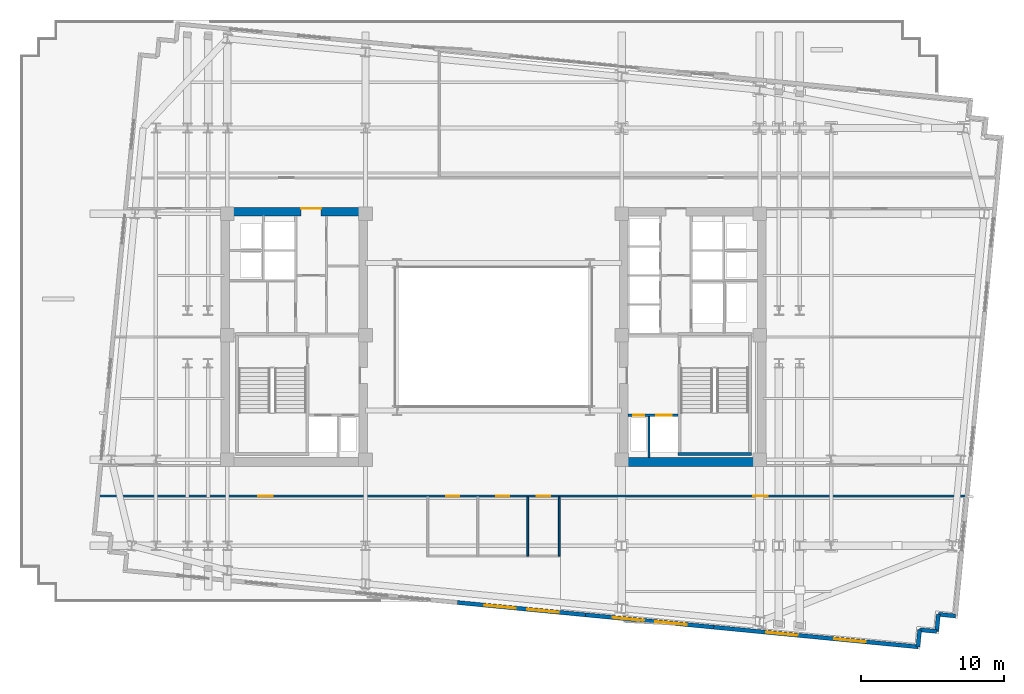
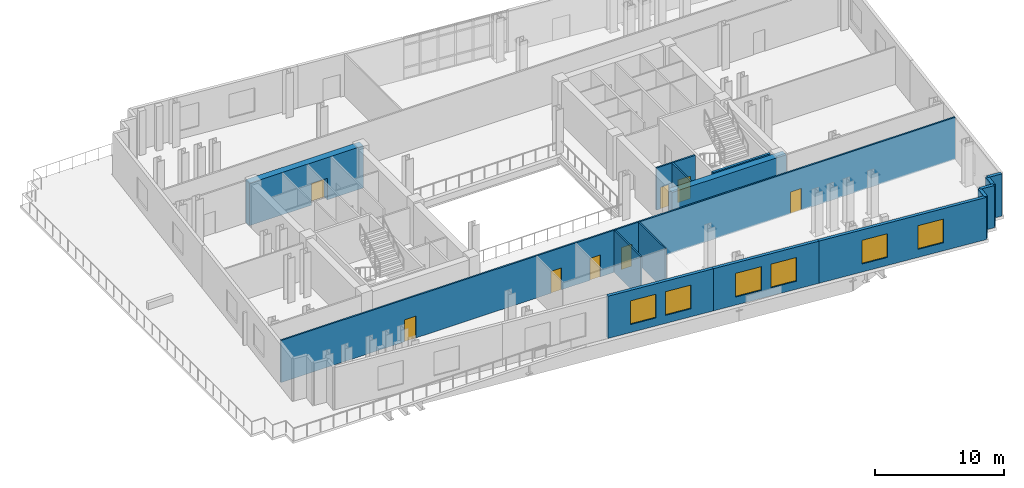
# One storey, part 6 of 11: 15 walls, 8 doors, 6 windows, 14 openings.
"""IFC4 building model written with IfcOpenShell, lengths in metres."""

from ifc_helpers import new_model, si_unit, direction, frame, frame_2d, origin, place, context, subcontext, project, spatial, rectangle, extrude, material, layer, layer_set, type_object, element, fill, save


model = new_model("IFC4")

# Units and contexts
model_context = context("Model", 3, precision=1e-05, world=origin(), true_north=direction((0.0, 1.0)))
body_context = subcontext(model_context, "Body", "Model", "MODEL_VIEW")
ifc_project = project(units=[si_unit("LENGTHUNIT", "METRE"), si_unit("AREAUNIT", "SQUARE_METRE"), si_unit("VOLUMEUNIT", "CUBIC_METRE"), si_unit("PLANEANGLEUNIT", "RADIAN"), si_unit("MASSUNIT", "GRAM", prefix="KILO")], contexts=[model_context])

# Site, building, storey
site_placement = place(None, origin())
site = spatial("IfcSite", under=ifc_project, at=site_placement, CompositionType="ELEMENT")
building_placement = place(site_placement, origin())
building = spatial("IfcBuilding", under=site, at=building_placement, Name="Velakula Bourse", CompositionType="ELEMENT")
storey_placement = place(building_placement, frame((0.0, 0.0, 156.199951171875)))
storey = spatial("IfcBuildingStorey", under=building, at=storey_placement, Name="L42", CompositionType="ELEMENT", Elevation=156.199951171875)

# Wall
ifc_material_1 = material(Name="Concrete M50 (fck 50 MPa)", Category="concrete")
ifc_layer_1 = layer(ifc_material_1, 0.2099609375, Name="Concrete M50 (fck 50 MPa)", Category="concrete")
ifc_layer_set_1 = layer_set([ifc_layer_1], Name="Concrete M50 (fck 50 MPa)")
wall_type_1 = type_object("IfcWallType", Name="WL-CORE-210", PredefinedType="SHEAR", material=ifc_layer_set_1)
wall_1_placement = place(storey_placement, frame((12.889892578125, -8.205078125, 0.0), z_axis=(0.0, 0.0, 1.0), x_axis=(1.0, 0.0, 0.0)))
element("IfcWall", 1, at=wall_1_placement, inside=storey, type_object=wall_type_1, Name="L42 Core E Stairwell Shear Wall S", PredefinedType="SHEAR", context=body_context, shape_type="SweptSolid", body=[
    extrude(rectangle(XDim=5.14013671875, YDim=0.2099609375, at=frame_2d((2.570068359375, 0.0))), origin(), (0.0, 0.0, 1.0), 4.02001953125),
])

# Wall, opening, door
ifc_material_2 = material(Name="Concrete M70 (fck 70 MPa)", Category="concrete")
ifc_layer_2 = layer(ifc_material_2, 0.60009765625, Name="Concrete M70 (fck 70 MPa)", Category="concrete")
ifc_layer_set_2 = layer_set([ifc_layer_2], Name="Concrete M70 (fck 70 MPa)")
wall_type_2 = type_object("IfcWallType", Name="WL-CORE-600", PredefinedType="SHEAR", material=ifc_layer_set_2)
wall_2_placement = place(storey_placement, frame((-19.050048828125, 8.75, 0.0), z_axis=(0.0, 0.0, 1.0), x_axis=(1.0, 0.0, 0.0)))
wall_2 = element("IfcWall", 2, at=wall_2_placement, inside=storey, type_object=wall_type_2, Name="L42 Core W Shear Wall N", PredefinedType="SHEAR", context=body_context, shape_type="SweptSolid", body=[
    extrude(rectangle(XDim=10.25, YDim=0.60009765625, at=frame_2d((5.125, 0.0))), origin(), (0.0, 0.0, 1.0), 4.02001953125),
])
opening_1_placement = place(wall_2_placement, frame((5.60009765625, 0.0, 0.0)))
opening_1 = element("IfcOpeningElement", 3, at=opening_1_placement, cuts=wall_2, Name="Opening D-LLW", PredefinedType="OPENING", context=body_context, shape_type="SweptSolid", body=[
    extrude(rectangle(XDim=1.39990234375, YDim=2.050048828125, at=frame_2d((0.699951171875, 1.02490234375))), frame((0.0, 0.31005859375, 0.0), z_axis=(0.0, -1.0, 0.0), x_axis=(1.0, 0.0, 0.0)), (0.0, 0.0, 1.0), 0.6201171875),
])
ifc_material_3 = material(Name="Fire-rated hardwood flush architectural door", Category="wood")
door_type_1 = type_object("IfcDoorType", Name="DR-DBL-FD60-1400", OperationType="DOUBLE_DOOR_SINGLE_SWING", PredefinedType="DOOR", material=ifc_material_3)
door_1_placement = place(opening_1_placement, origin())
door_1 = element("IfcDoor", 4, at=door_1_placement, inside=storey, type_object=door_type_1, Name="L42 Core W Lift Lobby Corridor Double Door", OperationType="DOUBLE_DOOR_SINGLE_SWING", OverallHeight=2.050048828125, OverallWidth=1.39990234375, PredefinedType="DOOR", context=body_context, shape_type="SweptSolid", body=[
    extrude(rectangle(XDim=1.39990234375, YDim=2.050048828125, at=frame_2d((0.699951171875, 1.02490234375))), frame((0.0, 0.2451171875, 0.0), z_axis=(0.0, -1.0, 0.0), x_axis=(1.0, 0.0, 0.0)), (0.0, 0.0, 1.0), 0.050048828125),
])
fill(opening_1, door_1)

# Wall
wall_3_placement = place(storey_placement, frame((8.800048828125, -8.75, 0.0), z_axis=(0.0, 0.0, 1.0), x_axis=(1.0, 0.0, 0.0)))
element("IfcWall", 5, at=wall_3_placement, inside=storey, type_object=wall_type_2, Name="L42 Core E Shear Wall S", PredefinedType="SHEAR", context=body_context, shape_type="SweptSolid", body=[
    extrude(rectangle(XDim=10.25, YDim=0.60009765625, at=frame_2d((5.125, 0.0))), origin(), (0.0, 0.0, 1.0), 4.02001953125),
])

# Wall, openings, windows
ifc_material_4 = material(Name="Red kilned clay facing brick masonry", Category="masonry")
ifc_layer_3 = layer(ifc_material_4, 0.280029296875, Name="Red kilned clay facing brick masonry", Category="masonry")
ifc_layer_set_3 = layer_set([ifc_layer_3], Name="Red kilned clay facing brick masonry")
wall_type_3 = type_object("IfcWallType", Name="WL-EXT-BRK-280", PredefinedType="STANDARD", material=ifc_layer_set_3)
wall_4_placement = place(storey_placement, frame((6.43994140625, -19.432861328125, 0.0), z_axis=(0.0, 0.0, 1.0), x_axis=(-0.995396794462, 0.09583956164, 0.0)))
wall_4 = element("IfcWall", 6, at=wall_4_placement, inside=storey, type_object=wall_type_3, Name="L42 S Brick Spandrel Wall B3", PredefinedType="STANDARD", context=body_context, shape_type="SweptSolid", body=[
    extrude(rectangle(XDim=9.0, YDim=0.280029296875, at=frame_2d((4.5, 0.0))), origin(), (0.0, 0.0, 1.0), 4.0),
])
opening_2_placement = place(wall_4_placement, frame((1.89990234375, 0.0, 0.760009765625)))
opening_2 = element("IfcOpeningElement", 7, at=opening_2_placement, cuts=wall_4, Name="Opening W-08", PredefinedType="OPENING", context=body_context, shape_type="SweptSolid", body=[
    extrude(rectangle(XDim=2.199951171875, YDim=2.25, at=frame_2d((1.10009765625, 1.125))), frame((0.0, 0.14990234375, 0.0), z_axis=(0.0, -1.0, 0.0), x_axis=(1.0, 0.0, 0.0)), (0.0, 0.0, 1.0), 0.300048828125),
])
opening_3_placement = place(wall_4_placement, frame((4.89990234375, 0.0, 0.760009765625)))
opening_3 = element("IfcOpeningElement", 8, at=opening_3_placement, cuts=wall_4, Name="Opening W-08", PredefinedType="OPENING", context=body_context, shape_type="SweptSolid", body=[
    extrude(rectangle(XDim=2.199951171875, YDim=2.25, at=frame_2d((1.10009765625, 1.125))), frame((0.0, 0.14990234375, 0.0), z_axis=(0.0, -1.0, 0.0), x_axis=(1.0, 0.0, 0.0)), (0.0, 0.0, 1.0), 0.300048828125),
])
ifc_material_5 = material(Name="Double-glazed solar-control Low-E glass", Category="glass")
window_type = type_object("IfcWindowType", Name="WIN-SL-2200x2500", PartitioningType="DOUBLE_PANEL_VERTICAL", PredefinedType="WINDOW", material=ifc_material_5)
window_1_placement = place(opening_2_placement, origin())
window_1 = element("IfcWindow", 9, at=window_1_placement, inside=storey, type_object=window_type, Name="L42 Deep-Set Recessed Window 1", OverallHeight=2.25, OverallWidth=2.199951171875, PartitioningType="DOUBLE_PANEL_VERTICAL", PredefinedType="WINDOW", context=body_context, shape_type="SweptSolid", body=[
    extrude(rectangle(XDim=2.199951171875, YDim=2.25, at=frame_2d((1.10009765625, 1.125))), frame((0.0, 0.030029296875, 0.0), z_axis=(0.0, -1.0, 0.0), x_axis=(1.0, 0.0, 0.0)), (0.0, 0.0, 1.0), 0.06005859375),
])
fill(opening_2, window_1)
window_2_placement = place(opening_3_placement, origin())
window_2 = element("IfcWindow", 10, at=window_2_placement, inside=storey, type_object=window_type, Name="L42 Deep-Set Recessed Window 2", OverallHeight=2.25, OverallWidth=2.199951171875, PartitioningType="DOUBLE_PANEL_VERTICAL", PredefinedType="WINDOW", context=body_context, shape_type="SweptSolid", body=[
    extrude(rectangle(XDim=2.199951171875, YDim=2.25, at=frame_2d((1.10009765625, 1.125))), frame((0.0, 0.030029296875, 0.0), z_axis=(0.0, -1.0, 0.0), x_axis=(1.0, 0.0, 0.0)), (0.0, 0.0, 1.0), 0.06005859375),
])
fill(opening_3, window_2)

wall_5_placement = place(storey_placement, frame((15.398681640625, -20.295654296875, 0.0), z_axis=(0.0, 0.0, 1.0), x_axis=(-0.995394455533, 0.09586385082, 0.0)))
wall_5 = element("IfcWall", 11, at=wall_5_placement, inside=storey, type_object=wall_type_3, Name="L42 S Brick Spandrel Wall B4", PredefinedType="STANDARD", context=body_context, shape_type="SweptSolid", body=[
    extrude(rectangle(XDim=9.000244140625, YDim=0.280029296875, at=frame_2d((4.5, 0.0))), origin(), (0.0, 0.0, 1.0), 4.0),
])
opening_4_placement = place(wall_5_placement, frame((1.89990234375, 0.0, 0.760009765625)))
opening_4 = element("IfcOpeningElement", 12, at=opening_4_placement, cuts=wall_5, Name="Opening W-08", PredefinedType="OPENING", context=body_context, shape_type="SweptSolid", body=[
    extrude(rectangle(XDim=2.199951171875, YDim=2.25, at=frame_2d((1.10009765625, 1.125))), frame((0.0, 0.14990234375, 0.0), z_axis=(0.0, -1.0, 0.0), x_axis=(1.0, 0.0, 0.0)), (0.0, 0.0, 1.0), 0.300048828125),
])
opening_5_placement = place(wall_5_placement, frame((4.89990234375, 0.0, 0.760009765625)))
opening_5 = element("IfcOpeningElement", 13, at=opening_5_placement, cuts=wall_5, Name="Opening W-08", PredefinedType="OPENING", context=body_context, shape_type="SweptSolid", body=[
    extrude(rectangle(XDim=2.199951171875, YDim=2.25, at=frame_2d((1.10009765625, 1.125))), frame((0.0, 0.14990234375, 0.0), z_axis=(0.0, -1.0, 0.0), x_axis=(1.0, 0.0, 0.0)), (0.0, 0.0, 1.0), 0.300048828125),
])
window_3_placement = place(opening_4_placement, origin())
window_3 = element("IfcWindow", 14, at=window_3_placement, inside=storey, type_object=window_type, Name="L42 Deep-Set Recessed Window 1", OverallHeight=2.25, OverallWidth=2.199951171875, PartitioningType="DOUBLE_PANEL_VERTICAL", PredefinedType="WINDOW", context=body_context, shape_type="SweptSolid", body=[
    extrude(rectangle(XDim=2.199951171875, YDim=2.25, at=frame_2d((1.10009765625, 1.125))), frame((0.0, 0.030029296875, 0.0), z_axis=(0.0, -1.0, 0.0), x_axis=(1.0, 0.0, 0.0)), (0.0, 0.0, 1.0), 0.06005859375),
])
fill(opening_4, window_3)
window_4_placement = place(opening_5_placement, origin())
window_4 = element("IfcWindow", 15, at=window_4_placement, inside=storey, type_object=window_type, Name="L42 Deep-Set Recessed Window 2", OverallHeight=2.25, OverallWidth=2.199951171875, PartitioningType="DOUBLE_PANEL_VERTICAL", PredefinedType="WINDOW", context=body_context, shape_type="SweptSolid", body=[
    extrude(rectangle(XDim=2.199951171875, YDim=2.25, at=frame_2d((1.10009765625, 1.125))), frame((0.0, 0.030029296875, 0.0), z_axis=(0.0, -1.0, 0.0), x_axis=(1.0, 0.0, 0.0)), (0.0, 0.0, 1.0), 0.06005859375),
])
fill(opening_5, window_4)

wall_6_placement = place(storey_placement, frame((29.672607421875, -21.669921875, 0.0), z_axis=(0.0, 0.0, 1.0), x_axis=(-0.995397230529, 0.095835032509, 0.0)))
wall_6 = element("IfcWall", 16, at=wall_6_placement, inside=storey, type_object=wall_type_3, Name="L42 S Brick Spandrel Wall B5", PredefinedType="STANDARD", context=body_context, shape_type="SweptSolid", body=[
    extrude(rectangle(XDim=14.33984375, YDim=0.280029296875, at=frame_2d((7.169921875, 0.0))), origin(), (0.0, 0.0, 1.0), 4.0),
])
opening_6_placement = place(wall_6_placement, frame((3.679931640625, 0.0, 0.760009765625)))
opening_6 = element("IfcOpeningElement", 17, at=opening_6_placement, cuts=wall_6, Name="Opening W-08", PredefinedType="OPENING", context=body_context, shape_type="SweptSolid", body=[
    extrude(rectangle(XDim=2.199951171875, YDim=2.25, at=frame_2d((1.10009765625, 1.125))), frame((0.0, 0.14990234375, 0.0), z_axis=(0.0, -1.0, 0.0), x_axis=(1.0, 0.0, 0.0)), (0.0, 0.0, 1.0), 0.300048828125),
])
opening_7_placement = place(wall_6_placement, frame((8.4599609375, 0.0, 0.760009765625)))
opening_7 = element("IfcOpeningElement", 18, at=opening_7_placement, cuts=wall_6, Name="Opening W-08", PredefinedType="OPENING", context=body_context, shape_type="SweptSolid", body=[
    extrude(rectangle(XDim=2.199951171875, YDim=2.25, at=frame_2d((1.10009765625, 1.125))), frame((0.0, 0.14990234375, 0.0), z_axis=(0.0, -1.0, 0.0), x_axis=(1.0, 0.0, 0.0)), (0.0, 0.0, 1.0), 0.300048828125),
])
window_5_placement = place(opening_6_placement, origin())
window_5 = element("IfcWindow", 19, at=window_5_placement, inside=storey, type_object=window_type, Name="L42 Deep-Set Recessed Window 1", OverallHeight=2.25, OverallWidth=2.199951171875, PartitioningType="DOUBLE_PANEL_VERTICAL", PredefinedType="WINDOW", context=body_context, shape_type="SweptSolid", body=[
    extrude(rectangle(XDim=2.199951171875, YDim=2.25, at=frame_2d((1.10009765625, 1.125))), frame((0.0, 0.030029296875, 0.0), z_axis=(0.0, -1.0, 0.0), x_axis=(1.0, 0.0, 0.0)), (0.0, 0.0, 1.0), 0.06005859375),
])
fill(opening_6, window_5)
window_6_placement = place(opening_7_placement, origin())
window_6 = element("IfcWindow", 20, at=window_6_placement, inside=storey, type_object=window_type, Name="L42 Deep-Set Recessed Window 2", OverallHeight=2.25, OverallWidth=2.199951171875, PartitioningType="DOUBLE_PANEL_VERTICAL", PredefinedType="WINDOW", context=body_context, shape_type="SweptSolid", body=[
    extrude(rectangle(XDim=2.199951171875, YDim=2.25, at=frame_2d((1.10009765625, 1.125))), frame((0.0, 0.030029296875, 0.0), z_axis=(0.0, -1.0, 0.0), x_axis=(1.0, 0.0, 0.0)), (0.0, 0.0, 1.0), 0.06005859375),
])
fill(opening_7, window_6)

# Walls
for number, where, z_axis, x_axis, name in (
    (21, (29.672607421875, -21.669921875, 0.0), (0.0, 0.0, 1.0), (0.095836473879, 0.995397091755, 0.0), "L42 Serrated Corner Brick Wall SE-1"),
    (22, (29.78759765625, -20.4755859375, 0.0), (0.0, 0.0, 1.0), (0.995397091755, -0.095836473879, 0.0), "L42 Serrated Corner Brick Wall SE-2"),
):
    element("IfcWall", number, at=place(storey_placement, frame(where, z_axis=z_axis, x_axis=x_axis)), inside=storey, type_object=wall_type_3, Name=name, PredefinedType="STANDARD", context=body_context, shape_type="SweptSolid", body=[
        extrude(rectangle(XDim=1.199951171875, YDim=0.280029296875, at=frame_2d((0.60009765625, 0.0))), origin(), (0.0, 0.0, 1.0), 4.0),
    ])
wall_7_placement = place(storey_placement, frame((30.98193359375, -20.590576171875, 0.0), z_axis=(0.0, 0.0, 1.0), x_axis=(0.096018626938, 0.995379537303, 0.0)))
element("IfcWall", 23, at=wall_7_placement, inside=storey, type_object=wall_type_3, Name="L42 Serrated Corner Brick Wall SE-3", PredefinedType="STANDARD", context=body_context, shape_type="SweptSolid", body=[
    extrude(rectangle(XDim=1.2001953125, YDim=0.280029296875, at=frame_2d((0.60009765625, 0.0))), origin(), (0.0, 0.0, 1.0), 4.0),
])
wall_8_placement = place(storey_placement, frame((31.09716796875, -19.39599609375, 0.0), z_axis=(0.0, 0.0, 1.0), x_axis=(0.995397091755, -0.095836473879, 0.0)))
element("IfcWall", 24, at=wall_8_placement, inside=storey, type_object=wall_type_3, Name="L42 Serrated Corner Brick Wall SE-4", PredefinedType="STANDARD", context=body_context, shape_type="SweptSolid", body=[
    extrude(rectangle(XDim=1.199951171875, YDim=0.280029296875, at=frame_2d((0.60009765625, 0.0))), origin(), (0.0, 0.0, 1.0), 4.0),
])
ifc_material_6 = material(Name="Fire-rated double-layer gypsum drywall partition", Category="gypsum")
ifc_layer_4 = layer(ifc_material_6, 0.1201171875, Name="Fire-rated double-layer gypsum drywall partition", Category="gypsum")
ifc_layer_set_4 = layer_set([ifc_layer_4], Name="Fire-rated double-layer gypsum drywall partition")
wall_type_4 = type_object("IfcWallType", Name="WL-PART-120", PredefinedType="STANDARD", material=ifc_layer_set_4)
for number, where, z_axis, x_axis, name in (
    (25, (2.39990234375, -15.320068359375, 0.0), (0.0, 0.0, 1.0), (0.0, 1.0, 0.0), "L42 Interior Partition WL-WC-L42-V3"),
    (26, (4.60009765625, -15.320068359375, 0.0), (0.0, 0.0, 1.0), (0.0, 1.0, 0.0), "L42 Interior Partition WL-WC-L42-V4"),
):
    element("IfcWall", number, at=place(storey_placement, frame(where, z_axis=z_axis, x_axis=x_axis)), inside=storey, type_object=wall_type_4, Name=name, PredefinedType="STANDARD", context=body_context, shape_type="SweptSolid", body=[
        extrude(rectangle(XDim=4.130126953125, YDim=0.1201171875, at=frame_2d((2.06494140625, 0.0))), origin(), (0.0, 0.0, 1.0), 4.0),
    ])

# Wall, openings, doors
ifc_layer_5 = layer(ifc_material_6, 0.139892578125, Name="Fire-rated double-layer gypsum drywall partition", Category="gypsum")
ifc_layer_set_5 = layer_set([ifc_layer_5], Name="Fire-rated double-layer gypsum drywall partition")
wall_type_5 = type_object("IfcWallType", Name="WL-PART-140", PredefinedType="STANDARD", material=ifc_layer_set_5)
wall_9_placement = place(storey_placement, frame((-27.539794921875, -11.1201171875, 0.0), z_axis=(0.0, 0.0, 1.0), x_axis=(1.0, 0.0, 0.0)))
wall_9 = element("IfcWall", 27, at=wall_9_placement, inside=storey, type_object=wall_type_5, Name="L42 Interior Partition WL-INT-L42-S-CORR", PredefinedType="STANDARD", context=body_context, shape_type="SweptSolid", body=[
    extrude(rectangle(XDim=60.518798828125, YDim=0.139892578125, at=frame_2d((30.25927734375, 0.0))), origin(), (0.0, 0.0, 1.0), 4.0),
])
opening_8_placement = place(wall_9_placement, frame((24.229736328125, 0.0, 0.0)))
opening_8 = element("IfcOpeningElement", 28, at=opening_8_placement, cuts=wall_9, Name="Opening D-WT1", PredefinedType="OPENING", context=body_context, shape_type="SweptSolid", body=[
    extrude(rectangle(XDim=0.919921875, YDim=2.080078125, at=frame_2d((0.4599609375, 1.0400390625))), frame((0.0, 0.079833984375, 0.0), z_axis=(0.0, -1.0, 0.0), x_axis=(1.0, 0.0, 0.0)), (0.0, 0.0, 1.0), 0.159912109375),
])
opening_9_placement = place(wall_9_placement, frame((27.729736328125, 0.0, 0.0)))
opening_9 = element("IfcOpeningElement", 29, at=opening_9_placement, cuts=wall_9, Name="Opening D-WT1", PredefinedType="OPENING", context=body_context, shape_type="SweptSolid", body=[
    extrude(rectangle(XDim=0.919921875, YDim=2.080078125, at=frame_2d((0.4599609375, 1.0400390625))), frame((0.0, 0.079833984375, 0.0), z_axis=(0.0, -1.0, 0.0), x_axis=(1.0, 0.0, 0.0)), (0.0, 0.0, 1.0), 0.159912109375),
])
opening_10_placement = place(wall_9_placement, frame((30.57958984375, 0.0, 0.0)))
opening_10 = element("IfcOpeningElement", 30, at=opening_10_placement, cuts=wall_9, Name="Opening D-WC1", PredefinedType="OPENING", context=body_context, shape_type="SweptSolid", body=[
    extrude(rectangle(XDim=0.919921875, YDim=2.080078125, at=frame_2d((0.4599609375, 1.0400390625))), frame((0.0, 0.079833984375, 0.0), z_axis=(0.0, -1.0, 0.0), x_axis=(1.0, 0.0, 0.0)), (0.0, 0.0, 1.0), 0.159912109375),
])
opening_11_placement = place(wall_9_placement, frame((11.095703125, 0.0, 0.0)))
opening_11 = element("IfcOpeningElement", 31, at=opening_11_placement, cuts=wall_9, Name="Opening D-OF1", PredefinedType="OPENING", context=body_context, shape_type="SweptSolid", body=[
    extrude(rectangle(XDim=1.0, YDim=2.080078125, at=frame_2d((0.5, 1.0400390625))), frame((0.0, 0.079833984375, 0.0), z_axis=(0.0, -1.0, 0.0), x_axis=(1.0, 0.0, 0.0)), (0.0, 0.0, 1.0), 0.159912109375),
])
opening_12_placement = place(wall_9_placement, frame((45.703125, 0.0, 0.0)))
opening_12 = element("IfcOpeningElement", 32, at=opening_12_placement, cuts=wall_9, Name="Opening D-OF1", PredefinedType="OPENING", context=body_context, shape_type="SweptSolid", body=[
    extrude(rectangle(XDim=1.0, YDim=2.080078125, at=frame_2d((0.5, 1.0400390625))), frame((0.0, 0.079833984375, 0.0), z_axis=(0.0, -1.0, 0.0), x_axis=(1.0, 0.0, 0.0)), (0.0, 0.0, 1.0), 0.159912109375),
])
door_type_2 = type_object("IfcDoorType", Name="DR-OFF-1000", OperationType="NOTDEFINED", PredefinedType="DOOR", material=ifc_material_3)
door_2_placement = place(opening_11_placement, origin())
door_2 = element("IfcDoor", 33, at=door_2_placement, inside=storey, type_object=door_type_2, Name="L42 Members Dining Lounge Door", OperationType="SINGLE_SWING_RIGHT", OverallHeight=2.080078125, OverallWidth=1.0, PredefinedType="DOOR", context=body_context, shape_type="SweptSolid", body=[
    extrude(rectangle(XDim=1.0, YDim=2.080078125, at=frame_2d((0.5, 1.0400390625))), frame((0.0, 0.02490234375, 0.0), z_axis=(0.0, -1.0, 0.0), x_axis=(1.0, 0.0, 0.0)), (0.0, 0.0, 1.0), 0.050048828125),
])
fill(opening_11, door_2)
door_3_placement = place(opening_12_placement, origin())
door_3 = element("IfcDoor", 34, at=door_3_placement, inside=storey, type_object=door_type_2, Name="L42 Legal Counsel Office Door", OperationType="SINGLE_SWING_LEFT", OverallHeight=2.080078125, OverallWidth=1.0, PredefinedType="DOOR", context=body_context, shape_type="SweptSolid", body=[
    extrude(rectangle(XDim=1.0, YDim=2.080078125, at=frame_2d((0.5, 1.0400390625))), frame((0.0, 0.02490234375, 0.0), z_axis=(0.0, -1.0, 0.0), x_axis=(1.0, 0.0, 0.0)), (0.0, 0.0, 1.0), 0.050048828125),
])
fill(opening_12, door_3)
door_type_3 = type_object("IfcDoorType", Name="DR-WC-950", OperationType="NOTDEFINED", PredefinedType="DOOR", material=ifc_material_3)
door_4_placement = place(opening_8_placement, origin())
door_4 = element("IfcDoor", 35, at=door_4_placement, inside=storey, type_object=door_type_3, Name="L42 Male Staff Toilet Door", OperationType="SINGLE_SWING_LEFT", OverallHeight=2.080078125, OverallWidth=0.919921875, PredefinedType="DOOR", context=body_context, shape_type="SweptSolid", body=[
    extrude(rectangle(XDim=0.919921875, YDim=2.080078125, at=frame_2d((0.4599609375, 1.0400390625))), frame((0.0, 0.02490234375, 0.0), z_axis=(0.0, -1.0, 0.0), x_axis=(1.0, 0.0, 0.0)), (0.0, 0.0, 1.0), 0.050048828125),
])
fill(opening_8, door_4)
door_5_placement = place(opening_9_placement, origin())
door_5 = element("IfcDoor", 36, at=door_5_placement, inside=storey, type_object=door_type_3, Name="L42 Female Staff Toilet Door", OperationType="SINGLE_SWING_RIGHT", OverallHeight=2.080078125, OverallWidth=0.919921875, PredefinedType="DOOR", context=body_context, shape_type="SweptSolid", body=[
    extrude(rectangle(XDim=0.919921875, YDim=2.080078125, at=frame_2d((0.4599609375, 1.0400390625))), frame((0.0, 0.02490234375, 0.0), z_axis=(0.0, -1.0, 0.0), x_axis=(1.0, 0.0, 0.0)), (0.0, 0.0, 1.0), 0.050048828125),
])
fill(opening_9, door_5)
door_6_placement = place(opening_10_placement, origin())
door_6 = element("IfcDoor", 37, at=door_6_placement, inside=storey, type_object=door_type_3, Name="L42 Accessible WC Door", OperationType="SINGLE_SWING_LEFT", OverallHeight=2.080078125, OverallWidth=0.919921875, PredefinedType="DOOR", context=body_context, shape_type="SweptSolid", body=[
    extrude(rectangle(XDim=0.919921875, YDim=2.080078125, at=frame_2d((0.4599609375, 1.0400390625))), frame((0.0, 0.02490234375, 0.0), z_axis=(0.0, -1.0, 0.0), x_axis=(1.0, 0.0, 0.0)), (0.0, 0.0, 1.0), 0.050048828125),
])
fill(opening_10, door_6)

ifc_material_7 = material(Name="Autoclaved aerated concrete blockwork masonry", Category="masonry")
ifc_layer_6 = layer(ifc_material_7, 0.14990234375, Name="Autoclaved aerated concrete blockwork masonry", Category="masonry")
ifc_layer_set_6 = layer_set([ifc_layer_6], Name="Autoclaved aerated concrete blockwork masonry")
wall_type_6 = type_object("IfcWallType", Name="WL-SHAFT-150", PredefinedType="STANDARD", material=ifc_layer_set_6)
wall_10_placement = place(storey_placement, frame((9.39990234375, -5.47509765625, 0.0), z_axis=(0.0, 0.0, 1.0), x_axis=(1.0, 0.0, 0.0)))
wall_10 = element("IfcWall", 38, at=wall_10_placement, inside=storey, type_object=wall_type_6, Name="L42 Interior Partition WL-CRE-L42-FFL-N", PredefinedType="STANDARD", context=body_context, shape_type="SweptSolid", body=[
    extrude(rectangle(XDim=3.4951171875, YDim=0.14990234375, at=frame_2d((1.74755859375, 0.0))), origin(), (0.0, 0.0, 1.0), 4.0),
])
opening_13_placement = place(wall_10_placement, frame((1.97509765625, 0.0, 0.0)))
opening_13 = element("IfcOpeningElement", 39, at=opening_13_placement, cuts=wall_10, Name="Opening LD-FFL-2", PredefinedType="OPENING", context=body_context, shape_type="SweptSolid", body=[
    extrude(rectangle(XDim=1.10009765625, YDim=2.14990234375, at=frame_2d((0.550048828125, 1.074951171875))), frame((0.0, 0.0849609375, 0.0), z_axis=(0.0, -1.0, 0.0), x_axis=(1.0, 0.0, 0.0)), (0.0, 0.0, 1.0), 0.169921875),
])
opening_14_placement = place(wall_10_placement, frame((0.375, 0.0, 0.0)))
opening_14 = element("IfcOpeningElement", 40, at=opening_14_placement, cuts=wall_10, Name="Opening D-RS1", PredefinedType="OPENING", context=body_context, shape_type="SweptSolid", body=[
    extrude(rectangle(XDim=0.75, YDim=2.050048828125, at=frame_2d((0.375, 1.02490234375))), frame((0.0, 0.0849609375, 0.0), z_axis=(0.0, -1.0, 0.0), x_axis=(1.0, 0.0, 0.0)), (0.0, 0.0, 1.0), 0.169921875),
])
ifc_material_8 = material(Name="Galvanised painted hollow steel fire door", Category="steel")
door_type_4 = type_object("IfcDoorType", Name="DR-RISER-800", OperationType="NOTDEFINED", PredefinedType="DOOR", material=ifc_material_8)
door_7_placement = place(opening_14_placement, origin())
door_7 = element("IfcDoor", 41, at=door_7_placement, inside=storey, type_object=door_type_4, Name="L42 Fire Riser Access Door", OperationType="SINGLE_SWING_LEFT", OverallHeight=2.050048828125, OverallWidth=0.75, PredefinedType="DOOR", context=body_context, shape_type="SweptSolid", body=[
    extrude(rectangle(XDim=0.75, YDim=2.050048828125, at=frame_2d((0.375, 1.02490234375))), frame((0.0, 0.02490234375, 0.0), z_axis=(0.0, -1.0, 0.0), x_axis=(1.0, 0.0, 0.0)), (0.0, 0.0, 1.0), 0.050048828125),
])
fill(opening_14, door_7)
ifc_material_9 = material(Name="Brushed grade 316 stainless steel", Category="steel")
door_type_5 = type_object("IfcDoorType", Name="DR-SLIDE-FFL-1100", OperationType="DOUBLE_DOOR_SLIDING", PredefinedType="DOOR", material=ifc_material_9)
door_8_placement = place(opening_13_placement, origin())
door_8 = element("IfcDoor", 42, at=door_8_placement, inside=storey, type_object=door_type_5, Name="L42 Firefighting Lift FFL-2 Sliding Landing Door", OperationType="DOUBLE_DOOR_SLIDING", OverallHeight=2.14990234375, OverallWidth=1.10009765625, PredefinedType="DOOR", context=body_context, shape_type="SweptSolid", body=[
    extrude(rectangle(XDim=1.10009765625, YDim=2.14990234375, at=frame_2d((0.550048828125, 1.074951171875))), frame((0.0, 0.02490234375, 0.0), z_axis=(0.0, -1.0, 0.0), x_axis=(1.0, 0.0, 0.0)), (0.0, 0.0, 1.0), 0.050048828125),
])
fill(opening_13, door_8)

# Wall
wall_11_placement = place(storey_placement, frame((10.875, -8.449951171875, 0.0), z_axis=(0.0, 0.0, 1.0), x_axis=(0.0, 1.0, 0.0)))
element("IfcWall", 43, at=wall_11_placement, inside=storey, type_object=wall_type_6, Name="L42 Interior Partition WL-CRE-L42-FR-DIV", PredefinedType="STANDARD", context=body_context, shape_type="SweptSolid", body=[
    extrude(rectangle(XDim=2.89990234375, YDim=0.14990234375, at=frame_2d((1.449951171875, 0.0))), origin(), (0.0, 0.0, 1.0), 4.0),
])

save(model, "model.ifc")
